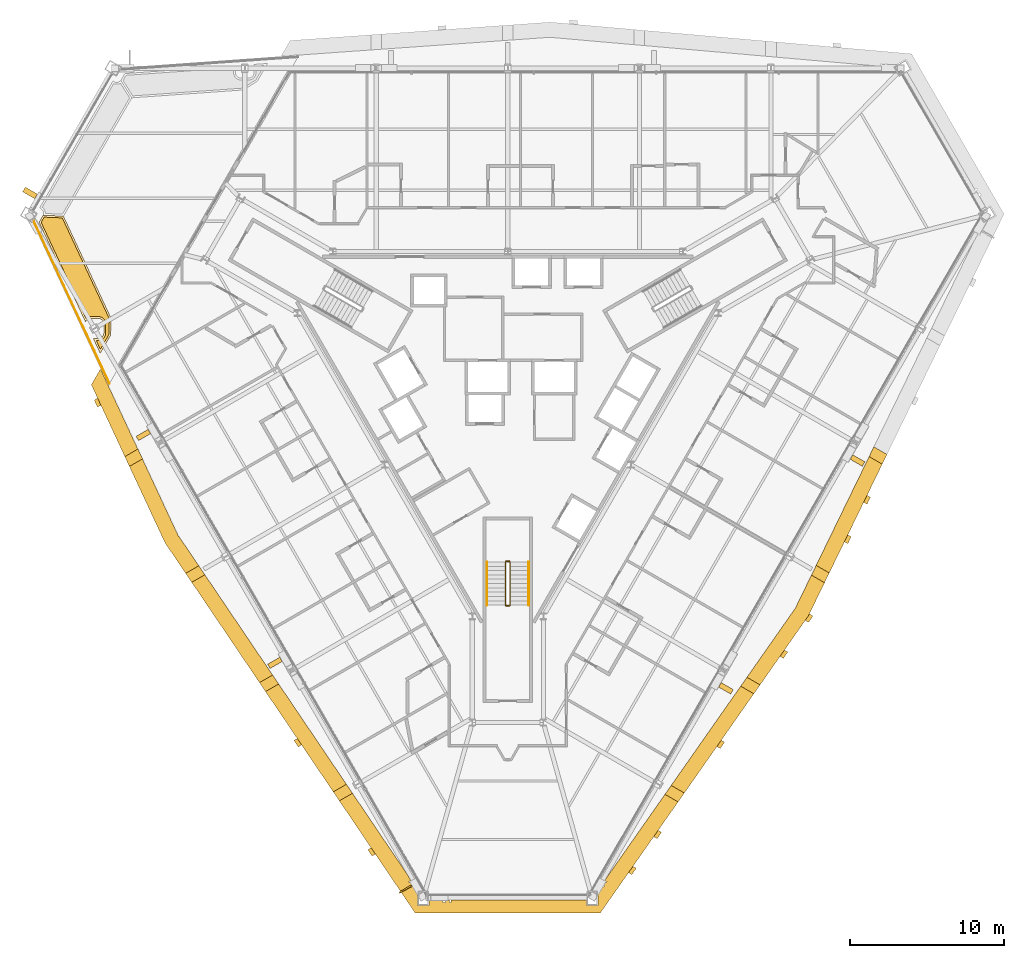
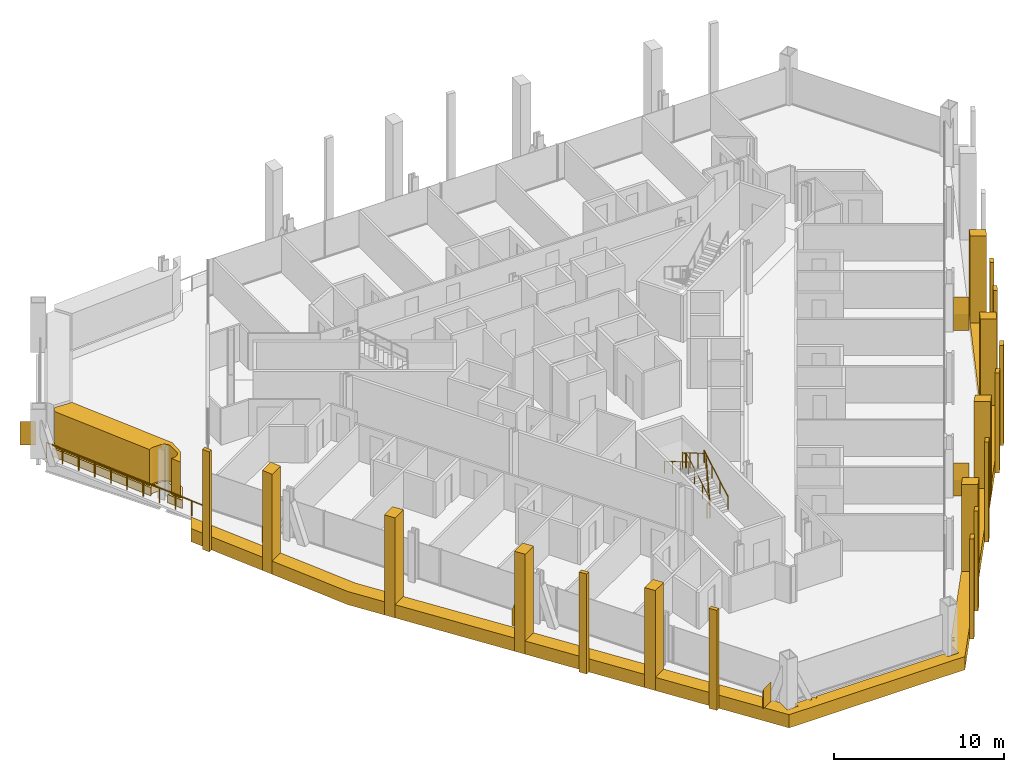
# One storey, part 17 of 19: 34 coverings, 4 railings.
"""IFC4 building model written with IfcOpenShell, lengths in metres."""

from ifc_helpers import new_model, si_unit, direction, frame, origin, origin_2d, place, context, subcontext, project, spatial, polyline, circle, outline, extrude, material, layer, layer_set, type_object, element, save


model = new_model("IFC4")

# Units and contexts
model_context = context("Model", 3, precision=1e-05, world=origin(), true_north=direction((0.0, 1.0)))
body_context = subcontext(model_context, "Body", "Model", "MODEL_VIEW")
ifc_project = project(units=[si_unit("LENGTHUNIT", "METRE"), si_unit("AREAUNIT", "SQUARE_METRE"), si_unit("VOLUMEUNIT", "CUBIC_METRE"), si_unit("PLANEANGLEUNIT", "RADIAN"), si_unit("MASSUNIT", "GRAM", prefix="KILO")], contexts=[model_context])

# Site, building, storey
site_placement = place(None, origin())
site = spatial("IfcSite", under=ifc_project, at=site_placement, CompositionType="ELEMENT")
building_placement = place(site_placement, origin())
building = spatial("IfcBuilding", under=site, at=building_placement, Name="Verrane Prism Tower", CompositionType="ELEMENT")
storey_placement = place(building_placement, frame((0.0, 0.0, 58.39990234375)))
storey = spatial("IfcBuildingStorey", under=building, at=storey_placement, Name="L12", CompositionType="ELEMENT", Elevation=58.39990234375)

# Railing
ifc_material_1 = material(Name="Stainless steel and laminated glass", Category="steel")
railing_type_1 = type_object("IfcRailingType", Name="Garden guard 1100", PredefinedType="GUARDRAIL", material=ifc_material_1)
railing_1_placement = place(storey_placement, frame((-30.69970703125, 11.184814453125, 0.0)))
element("IfcRailing", 1, at=railing_1_placement, inside=storey, type_object=railing_type_1, Name="Garden guard L12 3", PredefinedType="GUARDRAIL", context=body_context, shape_type="SweptSolid", body=[
    extrude(circle(Radius=0.02392578125, at=origin_2d()), frame((0.0, 0.0, 1.076171875), z_axis=(0.422490951101, -0.906367142077, 0.0), x_axis=(0.906367142077, 0.422490951101, 0.0)), (0.0, 0.0, 1.0), 11.621337890625),
    extrude(circle(Radius=0.02099609375, at=origin_2d()), origin(), (0.0, 0.0, 1.0), 1.052001953125),
    extrude(circle(Radius=0.02099609375, at=origin_2d()), frame((0.490966796875, -1.05322265625, 0.0)), (0.0, 0.0, 1.0), 1.052001953125),
    extrude(circle(Radius=0.02099609375, at=origin_2d()), frame((0.98193359375, -2.106689453125, 0.0)), (0.0, 0.0, 1.0), 1.052001953125),
    extrude(circle(Radius=0.02099609375, at=origin_2d()), frame((1.472900390625, -3.159912109375, 0.0)), (0.0, 0.0, 1.0), 1.052001953125),
    extrude(circle(Radius=0.02099609375, at=origin_2d()), frame((1.9638671875, -4.21337890625, 0.0)), (0.0, 0.0, 1.0), 1.052001953125),
    extrude(circle(Radius=0.02099609375, at=origin_2d()), frame((2.455078125, -5.2666015625, 0.0)), (0.0, 0.0, 1.0), 1.052001953125),
    extrude(circle(Radius=0.02099609375, at=origin_2d()), frame((2.946044921875, -6.31982421875, 0.0)), (0.0, 0.0, 1.0), 1.052001953125),
    extrude(circle(Radius=0.02099609375, at=origin_2d()), frame((3.43701171875, -7.373291015625, 0.0)), (0.0, 0.0, 1.0), 1.052001953125),
    extrude(circle(Radius=0.02099609375, at=origin_2d()), frame((3.927978515625, -8.426513671875, 0.0)), (0.0, 0.0, 1.0), 1.052001953125),
    extrude(circle(Radius=0.02099609375, at=origin_2d()), frame((4.4189453125, -9.47998046875, 0.0)), (0.0, 0.0, 1.0), 1.052001953125),
    extrude(circle(Radius=0.02099609375, at=origin_2d()), frame((4.909912109375, -10.533203125, 0.0)), (0.0, 0.0, 1.0), 1.052001953125),
])

# Coverings
ifc_material_2 = material(Name="Planting medium in stone kerb", Category="masonry")
covering_type_1 = type_object("IfcCoveringType", Name="Planter bed 600", PredefinedType="USERDEFINED", material=ifc_material_2)
covering_1_placement = place(storey_placement, origin())
element("IfcCovering", 2, at=covering_1_placement, inside=storey, type_object=covering_type_1, Name="Planter bed L12 3", ObjectType="PLANTER", PredefinedType="USERDEFINED", context=body_context, shape_type="SweptSolid", body=[
    extrude(outline(polyline([(-30.089599609375, 11.5498046875), (-30.095458984375, 11.53466796875), (-30.111083984375, 11.504150390625), (-30.348388671875, 11.093505859375), (-27.33984375, 4.6396484375), (-27.33642578125, 4.649169921875), (-27.322021484375, 4.68017578125), (-27.30419921875, 4.709716796875), (-27.28369140625, 4.7373046875), (-27.2607421875, 4.7626953125), (-27.235107421875, 4.78564453125), (-27.20751953125, 4.80615234375), (-27.17822265625, 4.82373046875), (-27.147216796875, 4.83837890625), (-27.11474609375, 4.85009765625), (-27.08154296875, 4.8583984375), (-27.047607421875, 4.86328125), (-27.047119140625, 4.863525390625), (-27.04541015625, 4.86376953125), (-27.010986328125, 4.865478515625), (-26.509033203125, 4.865478515625), (-26.474609375, 4.86376953125), (-26.440673828125, 4.858642578125), (-26.407470703125, 4.850341796875), (-26.375, 4.8388671875), (-26.343994140625, 4.82421875), (-26.314697265625, 4.806396484375), (-26.287109375, 4.785888671875), (-26.261474609375, 4.762939453125), (-26.238525390625, 4.737548828125), (-26.218017578125, 4.7099609375), (-26.2001953125, 4.680419921875), (-26.185791015625, 4.6494140625), (-26.174072265625, 4.616943359375), (-26.165771484375, 4.583740234375), (-26.16064453125, 4.5498046875), (-26.158935546875, 4.515380859375), (-26.158935546875, 3.924560546875), (-26.16064453125, 3.890380859375), (-26.165771484375, 3.856201171875), (-26.174072265625, 3.822998046875), (-26.185791015625, 3.79052734375), (-26.2001953125, 3.759521484375), (-26.218017578125, 3.72998046875), (-26.238525390625, 3.702392578125), (-26.261474609375, 3.677001953125), (-26.287109375, 3.654052734375), (-26.314697265625, 3.633544921875), (-26.343994140625, 3.615966796875), (-26.375, 3.601318359375), (-26.407470703125, 3.589599609375), (-26.440673828125, 3.581298828125), (-26.474609375, 3.576416015625), (-26.47509765625, 3.576171875), (-26.476806640625, 3.575927734375), (-26.51123046875, 3.57421875), (-26.84326171875, 3.57421875), (-26.392578125, 2.607421875), (-25.72119140625, 3.7705078125), (-25.673828125, 4.8525390625), (-28.768798828125, 11.491943359375), (-30.089599609375, 11.5498046875)])), origin(), (0.0, 0.0, 1.0), 0.60009765625),
])
ifc_material_3 = material(Name="Planted shrubs and grasses", Category="other")
covering_type_2 = type_object("IfcCoveringType", Name="Planting mass 1000", PredefinedType="USERDEFINED", material=ifc_material_3)
covering_2_placement = place(storey_placement, frame((0.0, 0.0, 0.60009765625)))
element("IfcCovering", 3, at=covering_2_placement, inside=storey, type_object=covering_type_2, Name="Planting L12 3", ObjectType="PLANTING", PredefinedType="USERDEFINED", context=body_context, shape_type="SweptSolid", body=[
    extrude(outline(polyline([(-30.213134765625, 11.08740234375), (-27.316650390625, 4.873779296875), (-27.311279296875, 4.878662109375), (-27.2744140625, 4.906005859375), (-27.23486328125, 4.9296875), (-27.193115234375, 4.949462890625), (-27.149658203125, 4.965087890625), (-27.10498046875, 4.976318359375), (-27.059326171875, 4.98291015625), (-27.05908203125, 4.98291015625), (-27.05712890625, 4.9833984375), (-27.013916015625, 4.9853515625), (-26.506103515625, 4.9853515625), (-26.462890625, 4.9833984375), (-26.417236328125, 4.9765625), (-26.37255859375, 4.96533203125), (-26.3291015625, 4.94970703125), (-26.287353515625, 4.93017578125), (-26.247802734375, 4.90625), (-26.210693359375, 4.87890625), (-26.176513671875, 4.847900390625), (-26.1455078125, 4.813720703125), (-26.1181640625, 4.776611328125), (-26.094482421875, 4.737060546875), (-26.07470703125, 4.6953125), (-26.05908203125, 4.65185546875), (-26.0478515625, 4.607177734375), (-26.041015625, 4.5615234375), (-26.0390625, 4.518310546875), (-26.0390625, 3.921630859375), (-26.041015625, 3.87841796875), (-26.0478515625, 3.832763671875), (-26.05908203125, 3.7880859375), (-26.07470703125, 3.74462890625), (-26.094482421875, 3.702880859375), (-26.1181640625, 3.663330078125), (-26.1455078125, 3.626220703125), (-26.176513671875, 3.592041015625), (-26.210693359375, 3.56103515625), (-26.247802734375, 3.53369140625), (-26.287353515625, 3.510009765625), (-26.3291015625, 3.490234375), (-26.37255859375, 3.474609375), (-26.417236328125, 3.46337890625), (-26.462890625, 3.456787109375), (-26.463134765625, 3.456787109375), (-26.465087890625, 3.456298828125), (-26.50830078125, 3.454345703125), (-26.655029296875, 3.454345703125), (-26.38134765625, 2.8671875), (-25.83984375, 3.80517578125), (-25.794921875, 4.828369140625), (-28.8466796875, 11.375244140625), (-30.017333984375, 11.426513671875), (-30.213134765625, 11.08740234375)])), origin(), (0.0, 0.0, 1.0), 2.60009765625),
])

# Railings
ifc_material_4 = material(Name="Steel A36 rail and posts, no infill", Category="steel")
railing_type_2 = type_object("IfcRailingType", Name="Stair guard 1100 steel rail and posts", PredefinedType="GUARDRAIL", material=ifc_material_4)
railing_2_placement = place(storey_placement, frame((0.14990234375, -13.699951171875, 0.163818359375)))
element("IfcRailing", 4, at=railing_2_placement, inside=storey, type_object=railing_type_2, Name="Stair 3 guard", PredefinedType="GUARDRAIL", context=body_context, shape_type="SweptSolid", body=[
    extrude(circle(Radius=0.02392578125, at=origin_2d()), frame((0.0, 0.0, 1.076171875), z_axis=(0.0, 0.863393664356, 0.504530851732), x_axis=(-1.0, 0.0, 0.0)), (0.0, 0.0, 1.0), 3.2431640625),
    extrude(circle(Radius=0.02392578125, at=origin_2d()), frame((0.0, 2.800048828125, 2.71240234375), z_axis=(-0.707106781187, 0.707106781187, 0.0), x_axis=(-0.707106781187, -0.707106781187, 0.0)), (0.0, 0.0, 1.0), 0.0703125),
    extrude(circle(Radius=0.02392578125, at=origin_2d()), frame((-0.0498046875, 2.849853515625, 2.71240234375), z_axis=(-1.0, 0.0, 0.0), x_axis=(0.0, -1.0, 0.0)), (0.0, 0.0, 1.0), 0.2001953125),
    extrude(circle(Radius=0.02392578125, at=origin_2d()), frame((-0.25, 2.849853515625, 2.71240234375), z_axis=(-0.279653641804, -0.279653641804, 0.918470294159), x_axis=(0.707106781187, -0.707106781187, 0.0)), (0.0, 0.0, 1.0), 0.177978515625),
    extrude(circle(Radius=0.02392578125, at=origin_2d()), frame((-0.2998046875, 2.800048828125, 2.8759765625), z_axis=(0.0, -0.863360870873, 0.504586966384), x_axis=(1.0, 0.0, 0.0)), (0.0, 0.0, 1.0), 3.2431640625),
    extrude(circle(Radius=0.02392578125, at=origin_2d()), frame((-0.2998046875, 0.0, 4.51220703125), z_axis=(0.069269067181, -0.013867342551, -0.997501625634), x_axis=(0.196300278283, 0.98054382908, 0.0)), (0.0, 0.0, 1.0), 3.609130859375),
    extrude(circle(Radius=0.02392578125, at=origin_2d()), frame((-0.0498046875, -0.050048828125, 0.912109375), z_axis=(-1.0, 0.0, 0.0), x_axis=(0.0, -1.0, 0.0)), (0.0, 0.0, 1.0), 0.2001953125),
    extrude(circle(Radius=0.02099609375, at=origin_2d()), origin(), (0.0, 0.0, 1.0), 1.052001953125),
    extrude(circle(Radius=0.02099609375, at=origin_2d()), frame((0.0, 0.933349609375, 0.54541015625)), (0.0, 0.0, 1.0), 1.052001953125),
    extrude(circle(Radius=0.02099609375, at=origin_2d()), frame((0.0, 1.86669921875, 1.0908203125)), (0.0, 0.0, 1.0), 1.052001953125),
    extrude(circle(Radius=0.02099609375, at=origin_2d()), frame((0.0, 2.800048828125, 1.63623046875)), (0.0, 0.0, 1.0), 1.052001953125),
    extrude(circle(Radius=0.02099609375, at=origin_2d()), frame((-0.0498046875, 2.849853515625, 1.63623046875)), (0.0, 0.0, 1.0), 1.052001953125),
    extrude(circle(Radius=0.02099609375, at=origin_2d()), frame((-0.25, 2.849853515625, 1.63623046875)), (0.0, 0.0, 1.0), 1.052001953125),
    extrude(circle(Radius=0.02099609375, at=origin_2d()), frame((-0.2998046875, 2.800048828125, 1.7998046875)), (0.0, 0.0, 1.0), 1.052001953125),
    extrude(circle(Radius=0.02099609375, at=origin_2d()), frame((-0.2998046875, 1.86669921875, 2.34521484375)), (0.0, 0.0, 1.0), 1.052001953125),
    extrude(circle(Radius=0.02099609375, at=origin_2d()), frame((-0.2998046875, 0.933349609375, 2.890869140625)), (0.0, 0.0, 1.0), 1.052001953125),
    extrude(circle(Radius=0.02099609375, at=origin_2d()), frame((-0.2998046875, 0.0, 3.436279296875)), (0.0, 0.0, 1.0), 1.052001953125),
    extrude(circle(Radius=0.02099609375, at=origin_2d()), frame((-0.2373046875, -0.012451171875, 2.5361328125)), (0.0, 0.0, 1.0), 1.052001953125),
    extrude(circle(Radius=0.02099609375, at=origin_2d()), frame((-0.1748046875, -0.02490234375, 1.63623046875)), (0.0, 0.0, 1.0), 1.052001953125),
    extrude(circle(Radius=0.02099609375, at=origin_2d()), frame((-0.1123046875, -0.03759765625, 0.736328125)), (0.0, 0.0, 1.0), 1.052001953125),
    extrude(circle(Radius=0.02099609375, at=origin_2d()), frame((-0.0498046875, -0.050048828125, -0.163818359375)), (0.0, 0.0, 1.0), 1.052001953125),
    extrude(circle(Radius=0.02099609375, at=origin_2d()), frame((-0.25, -0.050048828125, -0.163818359375)), (0.0, 0.0, 1.0), 1.052001953125),
])
ifc_material_5 = material(Name="Steel A36 tube", Category="steel")
railing_type_3 = type_object("IfcRailingType", Name="Stair handrail 900 steel tube", PredefinedType="HANDRAIL", material=ifc_material_5)
railing_3_placement = place(storey_placement, frame((1.35009765625, -13.699951171875, 0.163818359375)))
element("IfcRailing", 5, at=railing_3_placement, inside=storey, type_object=railing_type_3, Name="Stair 3 handrail", PredefinedType="HANDRAIL", context=body_context, shape_type="SweptSolid", body=[
    extrude(circle(Radius=0.02392578125, at=origin_2d()), frame((0.0, 0.0, 0.8759765625), z_axis=(0.0, 0.863393664356, 0.504530851732), x_axis=(-1.0, 0.0, 0.0)), (0.0, 0.0, 1.0), 3.2431640625),
    extrude(circle(Radius=0.02099609375, at=origin_2d()), origin(), (0.0, 0.0, 1.0), 0.851806640625),
    extrude(circle(Radius=0.02099609375, at=origin_2d()), frame((0.0, 0.933349609375, 0.54541015625)), (0.0, 0.0, 1.0), 0.851806640625),
    extrude(circle(Radius=0.02099609375, at=origin_2d()), frame((0.0, 1.86669921875, 1.0908203125)), (0.0, 0.0, 1.0), 0.851806640625),
    extrude(circle(Radius=0.02099609375, at=origin_2d()), frame((0.0, 2.800048828125, 1.63623046875)), (0.0, 0.0, 1.0), 0.851806640625),
])
railing_4_placement = place(storey_placement, frame((-1.35009765625, -10.89990234375, 1.963623046875)))
element("IfcRailing", 6, at=railing_4_placement, inside=storey, type_object=railing_type_3, Name="Stair 3 handrail", PredefinedType="HANDRAIL", context=body_context, shape_type="SweptSolid", body=[
    extrude(circle(Radius=0.02392578125, at=origin_2d()), frame((0.0, 0.0, 0.8759765625), z_axis=(0.0, -0.863360870873, 0.504586966384), x_axis=(1.0, 0.0, 0.0)), (0.0, 0.0, 1.0), 3.2431640625),
    extrude(circle(Radius=0.02099609375, at=origin_2d()), origin(), (0.0, 0.0, 1.0), 0.851806640625),
    extrude(circle(Radius=0.02099609375, at=origin_2d()), frame((0.0, -0.933349609375, 0.54541015625)), (0.0, 0.0, 1.0), 0.851806640625),
    extrude(circle(Radius=0.02099609375, at=origin_2d()), frame((0.0, -1.86669921875, 1.091064453125)), (0.0, 0.0, 1.0), 0.851806640625),
    extrude(circle(Radius=0.02099609375, at=origin_2d()), frame((0.0, -2.800048828125, 1.636474609375)), (0.0, 0.0, 1.0), 0.851806640625),
])

# Coverings
ifc_material_6 = material(Name="Warm limestone cladding", Category="masonry")
ifc_layer_1 = layer(ifc_material_6, 0.89990234375)
ifc_layer_set_1 = layer_set([ifc_layer_1], Name="Stone brace fin 900")
covering_type_3 = type_object("IfcCoveringType", Name="Stone brace fin 900", PredefinedType="CLADDING", material=ifc_layer_set_1)
covering_3_placement = place(storey_placement, frame((-23.67724609375, -2.543701171875, 0.0), z_axis=(0.0, 0.0, 1.0), x_axis=(0.498789253262, -0.866723301193, 0.0)))
element("IfcCovering", 7, at=covering_3_placement, inside=storey, type_object=covering_type_3, Name="Stone brace fin SW2 L12", PredefinedType="CLADDING", context=body_context, shape_type="SweptSolid", body=[
    extrude(outline(polyline([(0.0, 0.0), (0.317138671875, 0.0), (0.317138671875, 2.101318359375), (0.0, 1.1630859375), (0.0, 0.0)])), frame((0.0, 0.449951171875, 0.0), z_axis=(0.0, -1.0, 0.0), x_axis=(1.0, 0.0, 0.0)), (0.0, 0.0, 1.0), 0.89990234375),
])
covering_4_placement = place(storey_placement, frame((-15.157958984375, -17.2958984375, 0.0), z_axis=(0.0, 0.0, 1.0), x_axis=(0.500033686847, -0.8660059538, 0.0)))
element("IfcCovering", 8, at=covering_4_placement, inside=storey, type_object=covering_type_3, Name="Stone brace fin SW4 L12", PredefinedType="CLADDING", context=body_context, shape_type="SweptSolid", body=[
    extrude(outline(polyline([(0.0, 0.0), (0.31689453125, 0.0), (0.31689453125, 2.10205078125), (0.0, 1.16357421875), (0.0, 0.0)])), frame((0.0, 0.449951171875, 0.0), z_axis=(0.0, -1.0, 0.0), x_axis=(1.0, 0.0, 0.0)), (0.0, 0.0, 1.0), 0.89990234375),
])
covering_5_placement = place(storey_placement, frame((-6.637939453125, -32.0458984375, 0.0), z_axis=(0.0, 0.0, 1.0), x_axis=(0.500228859883, -0.865893231143, 0.0)))
element("IfcCovering", 9, at=covering_5_placement, inside=storey, type_object=covering_type_3, Name="Stone brace fin SW6 L12", PredefinedType="CLADDING", context=body_context, shape_type="SweptSolid", body=[
    extrude(outline(polyline([(0.0, 0.0), (0.08349609375, 0.0), (0.08349609375, 1.41064453125), (0.0, 1.16357421875), (0.0, 0.0)])), frame((0.0, 0.449951171875, 0.0), z_axis=(0.0, -1.0, 0.0), x_axis=(1.0, 0.0, 0.0)), (0.0, 0.0, 1.0), 0.89990234375),
])
for number, where, z_axis, x_axis, name in (
    (10, (14.041259765625, -19.2294921875, 0.0), (0.0, 0.0, 1.0), (0.499912255713, 0.866076057046, 0.0), "Stone brace fin SE2 L12"),
    (11, (22.561279296875, -4.4794921875, 0.0), (0.0, 0.0, 1.0), (0.499912255713, 0.866076057046, 0.0), "Stone brace fin SE4 L12"),
):
    element("IfcCovering", number, at=place(storey_placement, frame(where, z_axis=z_axis, x_axis=x_axis)), inside=storey, type_object=covering_type_3, Name=name, PredefinedType="CLADDING", context=body_context, shape_type="SweptSolid", body=[
        extrude(outline(polyline([(0.0, 0.0), (0.333984375, 0.0), (0.333984375, 2.150146484375), (0.0, 1.162353515625), (0.0, 0.0)])), frame((0.0, 0.449951171875, 0.0), z_axis=(0.0, -1.0, 0.0), x_axis=(1.0, 0.0, 0.0)), (0.0, 0.0, 1.0), 0.89990234375),
    ])
covering_6_placement = place(storey_placement, frame((-30.84716796875, 13.145751953125, 0.0), z_axis=(0.0, 0.0, 1.0), x_axis=(-0.499562713201, -0.866277724277, 0.0)))
element("IfcCovering", 12, at=covering_6_placement, inside=storey, type_object=covering_type_3, Name="Stone brace fin NW1 L12", PredefinedType="CLADDING", context=body_context, shape_type="SweptSolid", body=[
    extrude(outline(polyline([(0.0, 0.0), (0.352783203125, 0.0), (0.352783203125, 1.69677734375), (0.0, 0.884765625), (0.0, 0.0)])), frame((0.0, 0.449951171875, 0.0), z_axis=(0.0, -1.0, 0.0), x_axis=(1.0, 0.0, 0.0)), (0.0, 0.0, 1.0), 0.89990234375),
])
ifc_material_7 = material(Name="Warm limestone cladding", Category="masonry")
covering_type_4 = type_object("IfcCoveringType", Name="Stone mullion pier 500", PredefinedType="CLADDING", material=ifc_material_7)
covering_7_placement = place(storey_placement, frame((0.0, 0.0, -0.949951171875)))
element("IfcCovering", 13, at=covering_7_placement, inside=storey, type_object=covering_type_4, Name="Stone pier SM-SW1.1 L12-L13", PredefinedType="CLADDING", context=body_context, shape_type="SweptSolid", body=[
    extrude(outline(polyline([(-26.347900390625, -0.750244140625), (-26.56005859375, -0.29541015625), (-26.77734375, -0.4208984375), (-26.565185546875, -0.875732421875), (-26.347900390625, -0.750244140625)])), origin(), (0.0, 0.0, 1.0), 7.199951171875),
])
covering_8_placement = place(storey_placement, frame((0.0, 0.0, -0.949951171875)))
element("IfcCovering", 14, at=covering_8_placement, inside=storey, type_object=covering_type_4, Name="Stone pier SM-SW4.1 L12-L13", PredefinedType="CLADDING", context=body_context, shape_type="SweptSolid", body=[
    extrude(outline(polyline([(-13.3515625, -22.747314453125), (-13.632080078125, -22.33203125), (-13.84912109375, -22.45751953125), (-13.568603515625, -22.872802734375), (-13.3515625, -22.747314453125)])), origin(), (0.0, 0.0, 1.0), 7.199951171875),
])
covering_9_placement = place(storey_placement, frame((0.0, 0.0, -0.949951171875)))
element("IfcCovering", 15, at=covering_9_placement, inside=storey, type_object=covering_type_4, Name="Stone pier SM-SW5.1 L12-L13", PredefinedType="CLADDING", context=body_context, shape_type="SweptSolid", body=[
    extrude(outline(polyline([(-8.57177734375, -29.821533203125), (-8.852294921875, -29.406005859375), (-9.0693359375, -29.531494140625), (-8.788818359375, -29.94677734375), (-8.57177734375, -29.821533203125)])), origin(), (0.0, 0.0, 1.0), 7.199951171875),
])
covering_10_placement = place(storey_placement, frame((0.0, 0.0, -0.949951171875)))
element("IfcCovering", 16, at=covering_10_placement, inside=storey, type_object=covering_type_4, Name="Stone pier SM-SE0.1 L12-L13", PredefinedType="CLADDING", context=body_context, shape_type="SweptSolid", body=[
    extrude(outline(polyline([(8.10205078125, -30.61181640625), (7.814208984375, -31.02294921875), (8.031494140625, -31.1484375), (8.3193359375, -30.7373046875), (8.10205078125, -30.61181640625)])), origin(), (0.0, 0.0, 1.0), 7.199951171875),
])
covering_11_placement = place(storey_placement, frame((0.0, 0.0, -0.949951171875)))
element("IfcCovering", 17, at=covering_11_placement, inside=storey, type_object=covering_type_4, Name="Stone pier SM-SE0.2 L12-L13", PredefinedType="CLADDING", context=body_context, shape_type="SweptSolid", body=[
    extrude(outline(polyline([(9.73681640625, -28.27783203125), (9.448974609375, -28.68896484375), (9.666259765625, -28.814453125), (9.9541015625, -28.4033203125), (9.73681640625, -28.27783203125)])), origin(), (0.0, 0.0, 1.0), 7.199951171875),
])
covering_12_placement = place(storey_placement, frame((0.0, 0.0, -0.949951171875)))
element("IfcCovering", 18, at=covering_12_placement, inside=storey, type_object=covering_type_4, Name="Stone pier SM-SE1.1 L12-L13", PredefinedType="CLADDING", context=body_context, shape_type="SweptSolid", body=[
    extrude(outline(polyline([(13.82373046875, -22.44287109375), (13.535888671875, -22.85400390625), (13.753173828125, -22.9794921875), (14.041259765625, -22.568359375), (13.82373046875, -22.44287109375)])), origin(), (0.0, 0.0, 1.0), 7.199951171875),
])
covering_13_placement = place(storey_placement, frame((0.0, 0.0, -0.949951171875)))
element("IfcCovering", 19, at=covering_13_placement, inside=storey, type_object=covering_type_4, Name="Stone pier SM-SE2.1 L12-L13", PredefinedType="CLADDING", context=body_context, shape_type="SweptSolid", body=[
    extrude(outline(polyline([(17.91064453125, -16.60791015625), (17.622802734375, -17.018798828125), (17.840087890625, -17.144287109375), (18.128173828125, -16.7333984375), (17.91064453125, -16.60791015625)])), origin(), (0.0, 0.0, 1.0), 7.199951171875),
])
covering_14_placement = place(storey_placement, frame((0.0, 0.0, -0.949951171875)))
element("IfcCovering", 20, at=covering_14_placement, inside=storey, type_object=covering_type_4, Name="Stone pier SM-SE2.2 L12-L13", PredefinedType="CLADDING", context=body_context, shape_type="SweptSolid", body=[
    extrude(outline(polyline([(19.525634765625, -14.26220703125), (19.462158203125, -14.392822265625), (19.257568359375, -14.684814453125), (19.474853515625, -14.810302734375), (19.67822265625, -14.52001953125), (19.74267578125, -14.3876953125), (19.525634765625, -14.26220703125)])), origin(), (0.0, 0.0, 1.0), 7.199951171875),
])
covering_15_placement = place(storey_placement, frame((0.0, 0.0, -0.949951171875)))
element("IfcCovering", 21, at=covering_15_placement, inside=storey, type_object=covering_type_4, Name="Stone pier SM-SE3.1 L12-L13", PredefinedType="CLADDING", context=body_context, shape_type="SweptSolid", body=[
    extrude(outline(polyline([(22.0166015625, -9.144775390625), (21.797119140625, -9.595458984375), (22.01416015625, -9.720703125), (22.233642578125, -9.27001953125), (22.0166015625, -9.144775390625)])), origin(), (0.0, 0.0, 1.0), 7.199951171875),
])
covering_16_placement = place(storey_placement, frame((0.0, 0.0, -0.949951171875)))
element("IfcCovering", 22, at=covering_16_placement, inside=storey, type_object=covering_type_4, Name="Stone pier SM-SE3.2 L12-L13", PredefinedType="CLADDING", context=body_context, shape_type="SweptSolid", body=[
    extrude(outline(polyline([(23.261962890625, -6.5859375), (23.042724609375, -7.03662109375), (23.259765625, -7.161865234375), (23.47900390625, -6.711181640625), (23.261962890625, -6.5859375)])), origin(), (0.0, 0.0, 1.0), 7.199951171875),
])
ifc_material_8 = material(Name="Warm limestone cladding", Category="masonry")
covering_type_5 = type_object("IfcCoveringType", Name="Stone pier 700", PredefinedType="CLADDING", material=ifc_material_8)
covering_17_placement = place(storey_placement, frame((0.0, 0.0, -0.949951171875)))
element("IfcCovering", 23, at=covering_17_placement, inside=storey, type_object=covering_type_5, Name="Stone pier PC-SW2 L12-L13", PredefinedType="CLADDING", context=body_context, shape_type="SweptSolid", body=[
    extrude(outline(polyline([(-24.49951171875, -4.71533203125), (-23.6494140625, -4.224609375), (-23.9462890625, -3.587646484375), (-24.79638671875, -4.07861328125), (-24.49951171875, -4.71533203125)])), origin(), (0.0, 0.0, 1.0), 7.199951171875),
])
covering_18_placement = place(storey_placement, frame((0.0, 0.0, -0.949951171875)))
element("IfcCovering", 24, at=covering_18_placement, inside=storey, type_object=covering_type_5, Name="Stone pier PC-SW3 L12-L13", PredefinedType="CLADDING", context=body_context, shape_type="SweptSolid", body=[
    extrude(outline(polyline([(-20.465087890625, -12.219482421875), (-19.61572265625, -11.7294921875), (-20.0087890625, -11.14794921875), (-20.85791015625, -11.63818359375), (-20.465087890625, -12.219482421875)])), origin(), (0.0, 0.0, 1.0), 7.199951171875),
])
covering_19_placement = place(storey_placement, frame((0.0, 0.0, -0.949951171875)))
element("IfcCovering", 25, at=covering_19_placement, inside=storey, type_object=covering_type_5, Name="Stone pier PC-SW4 L12-L13", PredefinedType="CLADDING", context=body_context, shape_type="SweptSolid", body=[
    extrude(outline(polyline([(-15.685302734375, -19.293701171875), (-14.8359375, -18.80322265625), (-15.22900390625, -18.221923828125), (-16.078125, -18.712158203125), (-15.685302734375, -19.293701171875)])), origin(), (0.0, 0.0, 1.0), 7.199951171875),
])
covering_20_placement = place(storey_placement, frame((0.0, 0.0, -0.949951171875)))
element("IfcCovering", 26, at=covering_20_placement, inside=storey, type_object=covering_type_5, Name="Stone pier PC-SW5 L12-L13", PredefinedType="CLADDING", context=body_context, shape_type="SweptSolid", body=[
    extrude(outline(polyline([(-10.905517578125, -26.367431640625), (-10.056396484375, -25.877197265625), (-10.44921875, -25.2958984375), (-11.29833984375, -25.7861328125), (-10.905517578125, -26.367431640625)])), origin(), (0.0, 0.0, 1.0), 7.199951171875),
])
covering_21_placement = place(storey_placement, frame((0.0, 0.0, -0.949951171875)))
element("IfcCovering", 27, at=covering_21_placement, inside=storey, type_object=covering_type_5, Name="Stone pier PC-SE1 L12-L13", PredefinedType="CLADDING", context=body_context, shape_type="SweptSolid", body=[
    extrude(outline(polyline([(11.42919921875, -25.861572265625), (10.578857421875, -25.37060546875), (10.17578125, -25.9462890625), (11.026123046875, -26.437255859375), (11.42919921875, -25.861572265625)])), origin(), (0.0, 0.0, 1.0), 7.199951171875),
])
covering_22_placement = place(storey_placement, frame((0.0, 0.0, -0.949951171875)))
element("IfcCovering", 28, at=covering_22_placement, inside=storey, type_object=covering_type_5, Name="Stone pier PC-SE2 L12-L13", PredefinedType="CLADDING", context=body_context, shape_type="SweptSolid", body=[
    extrude(outline(polyline([(16.33349609375, -18.859619140625), (15.483154296875, -18.36865234375), (15.080078125, -18.944091796875), (15.930419921875, -19.435302734375), (16.33349609375, -18.859619140625)])), origin(), (0.0, 0.0, 1.0), 7.199951171875),
])
covering_23_placement = place(storey_placement, frame((0.0, 0.0, -0.949951171875)))
element("IfcCovering", 29, at=covering_23_placement, inside=storey, type_object=covering_type_5, Name="Stone pier PC-SE3 L12-L13", PredefinedType="CLADDING", context=body_context, shape_type="SweptSolid", body=[
    extrude(outline(polyline([(20.81494140625, -11.61328125), (19.9658203125, -11.123046875), (19.65869140625, -11.754150390625), (20.5078125, -12.244384765625), (20.81494140625, -11.61328125)])), origin(), (0.0, 0.0, 1.0), 7.199951171875),
])
covering_24_placement = place(storey_placement, frame((0.0, 0.0, -0.949951171875)))
element("IfcCovering", 30, at=covering_24_placement, inside=storey, type_object=covering_type_5, Name="Stone pier PC-SE4 L12-L13", PredefinedType="CLADDING", context=body_context, shape_type="SweptSolid", body=[
    extrude(outline(polyline([(24.551513671875, -3.93701171875), (23.7021484375, -3.44677734375), (23.39501953125, -4.07763671875), (24.244140625, -4.568115234375), (24.551513671875, -3.93701171875)])), origin(), (0.0, 0.0, 1.0), 7.199951171875),
])
ifc_material_9 = material(Name="Warm limestone cladding", Category="masonry")
ifc_layer_2 = layer(ifc_material_9, 0.449951171875)
ifc_layer_set_2 = layer_set([ifc_layer_2], Name="Stone spandrel band 450")
covering_type_6 = type_object("IfcCoveringType", Name="Stone spandrel band 450", PredefinedType="CLADDING", material=ifc_layer_set_2)
covering_25_placement = place(storey_placement, frame((0.0, 0.0, -0.949951171875)))
element("IfcCovering", 31, at=covering_25_placement, inside=storey, type_object=covering_type_6, Name="Stone spandrel band L12 part 1", PredefinedType="CLADDING", context=body_context, shape_type="SweptSolid", body=[
    extrude(outline(polyline([(10.17578125, -25.9462890625), (6.349365234375, -31.4091796875), (6.282470703125, -31.525390625), (6.4248046875, -31.607666015625), (6.38818359375, -31.670654296875), (6.245849609375, -31.58837890625), (6.14599609375, -31.76171875), (6.2880859375, -31.84375), (6.230224609375, -31.944091796875), (6.088134765625, -31.86181640625), (5.85009765625, -32.274169921875), (5.85009765625, -33.139892578125), (5.090087890625, -33.139892578125), (5.090087890625, -32.793701171875), (-3.687255859375, -32.793701171875), (-3.687255859375, -32.9599609375), (-3.777587890625, -32.9599609375), (-3.777587890625, -32.793701171875), (-4.03662109375, -32.793701171875), (-4.03662109375, -32.9599609375), (-4.1865234375, -32.9599609375), (-4.1865234375, -32.793701171875), (-5.090087890625, -32.793701171875), (-5.090087890625, -33.139892578125), (-5.85009765625, -33.139892578125), (-5.85009765625, -32.274169921875), (-6.088134765625, -31.86181640625), (-6.230224609375, -31.944091796875), (-6.2880859375, -31.84375), (-6.14599609375, -31.76171875), (-6.245849609375, -31.58837890625), (-6.38818359375, -31.670654296875), (-6.4248046875, -31.607666015625), (-6.282470703125, -31.525390625), (-6.531005859375, -31.094482421875), (-10.056396484375, -25.877197265625), (-10.905517578125, -26.367431640625), (-5.99267578125, -33.638671875), (5.982177734375, -33.638671875), (11.026123046875, -26.437255859375), (10.17578125, -25.9462890625)])), origin(), (0.0, 0.0, 1.0), 0.949951171875),
])
covering_26_placement = place(storey_placement, frame((0.0, 0.0, -0.949951171875)))
element("IfcCovering", 32, at=covering_26_placement, inside=storey, type_object=covering_type_6, Name="Stone spandrel band L12 part 3", PredefinedType="CLADDING", context=body_context, shape_type="SweptSolid", body=[
    extrude(outline(polyline([(-16.078125, -18.712158203125), (-15.22900390625, -18.221923828125), (-19.61572265625, -11.7294921875), (-20.465087890625, -12.219482421875), (-16.078125, -18.712158203125)])), origin(), (0.0, 0.0, 1.0), 0.949951171875),
])
covering_27_placement = place(storey_placement, frame((0.0, 0.0, -0.949951171875)))
element("IfcCovering", 33, at=covering_27_placement, inside=storey, type_object=covering_type_6, Name="Stone spandrel band L12 part 4", PredefinedType="CLADDING", context=body_context, shape_type="SweptSolid", body=[
    extrude(outline(polyline([(-10.44921875, -25.2958984375), (-14.8359375, -18.80322265625), (-15.685302734375, -19.293701171875), (-11.29833984375, -25.7861328125), (-10.44921875, -25.2958984375)])), origin(), (0.0, 0.0, 1.0), 0.949951171875),
])
covering_28_placement = place(storey_placement, frame((0.0, 0.0, -0.949951171875)))
element("IfcCovering", 34, at=covering_28_placement, inside=storey, type_object=covering_type_6, Name="Stone spandrel band L12 part 5", PredefinedType="CLADDING", context=body_context, shape_type="SweptSolid", body=[
    extrude(outline(polyline([(15.080078125, -18.944091796875), (10.578857421875, -25.37060546875), (11.42919921875, -25.861572265625), (15.930419921875, -19.435302734375), (15.080078125, -18.944091796875)])), origin(), (0.0, 0.0, 1.0), 0.949951171875),
])
covering_29_placement = place(storey_placement, frame((0.0, 0.0, -0.949951171875)))
element("IfcCovering", 35, at=covering_29_placement, inside=storey, type_object=covering_type_6, Name="Stone spandrel band L12 part 6", PredefinedType="CLADDING", context=body_context, shape_type="SweptSolid", body=[
    extrude(outline(polyline([(19.65869140625, -11.754150390625), (18.61669921875, -13.89501953125), (15.483154296875, -18.36865234375), (16.33349609375, -18.859619140625), (19.462158203125, -14.392822265625), (20.5078125, -12.244384765625), (19.65869140625, -11.754150390625)])), origin(), (0.0, 0.0, 1.0), 0.949951171875),
])
covering_30_placement = place(storey_placement, frame((0.0, 0.0, -0.949951171875)))
element("IfcCovering", 36, at=covering_30_placement, inside=storey, type_object=covering_type_6, Name="Stone spandrel band L12 part 7", PredefinedType="CLADDING", context=body_context, shape_type="SweptSolid", body=[
    extrude(outline(polyline([(23.39501953125, -4.07763671875), (19.9658203125, -11.123046875), (20.81494140625, -11.61328125), (24.244140625, -4.568115234375), (23.39501953125, -4.07763671875)])), origin(), (0.0, 0.0, 1.0), 0.949951171875),
])
covering_31_placement = place(storey_placement, frame((0.0, 0.0, -0.949951171875)))
element("IfcCovering", 37, at=covering_31_placement, inside=storey, type_object=covering_type_6, Name="Stone spandrel band L12 part 12", PredefinedType="CLADDING", context=body_context, shape_type="SweptSolid", body=[
    extrude(outline(polyline([(-20.85791015625, -11.63818359375), (-20.0087890625, -11.14794921875), (-21.3134765625, -9.216796875), (-21.32958984375, -9.224365234375), (-23.657958984375, -4.2294921875), (-24.49951171875, -4.71533203125), (-22.195556640625, -9.658203125), (-20.85791015625, -11.63818359375)])), origin(), (0.0, 0.0, 1.0), 0.949951171875),
])
covering_32_placement = place(storey_placement, frame((0.0, 0.0, -0.949951171875)))
element("IfcCovering", 38, at=covering_32_placement, inside=storey, type_object=covering_type_6, Name="Stone spandrel band L12 part 14", PredefinedType="CLADDING", context=body_context, shape_type="SweptSolid", body=[
    extrude(outline(polyline([(-23.954833984375, -3.5927734375), (-26.373779296875, 1.596435546875), (-26.964599609375, 0.572998046875), (-24.79638671875, -4.07861328125), (-23.954833984375, -3.5927734375)])), origin(), (0.0, 0.0, 1.0), 0.949951171875),
])

save(model, "model.ifc")
